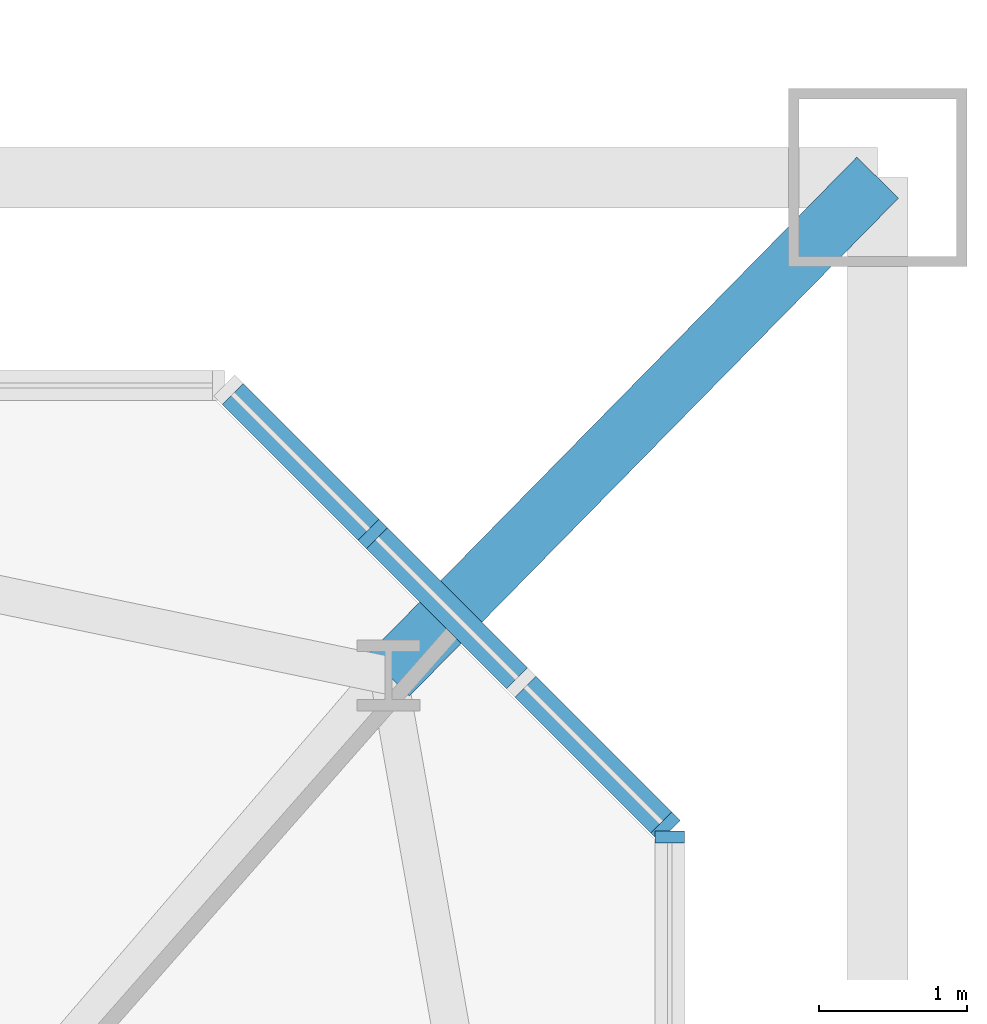
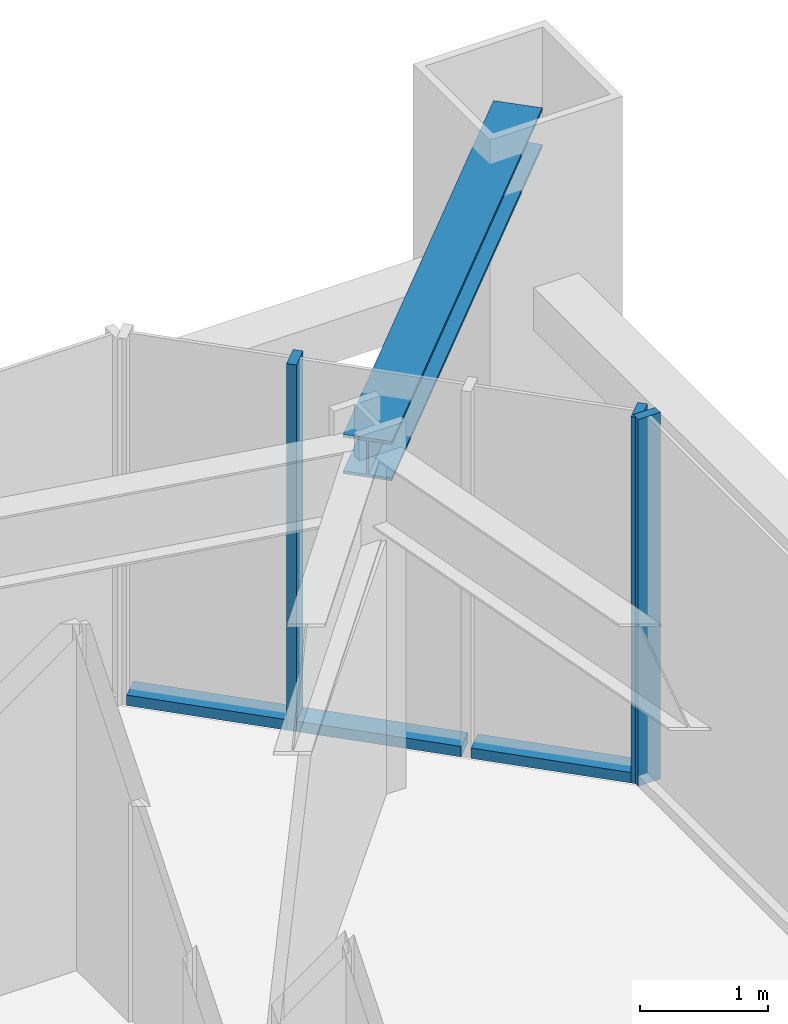
# One storey, part 12 of 27: 7 members, 2 elements without a shape of their own.
"""IFC4 building model written with IfcOpenShell, lengths in metres."""

from ifc_helpers import new_model, si_unit, direction, frame, origin, origin_2d, place, context, subcontext, project, spatial, rectangle, i_section, extrude, material, material_profile, profile_set, type_object, element, aggregate, save


model = new_model("IFC4")

# Units and contexts
model_context = context("Model", 3, precision=1e-05, world=origin(), true_north=direction((0.0, 1.0)))
body_context = subcontext(model_context, "Body", "Model", "MODEL_VIEW")
ifc_project = project(units=[si_unit("LENGTHUNIT", "METRE"), si_unit("AREAUNIT", "SQUARE_METRE"), si_unit("VOLUMEUNIT", "CUBIC_METRE"), si_unit("PLANEANGLEUNIT", "RADIAN"), si_unit("MASSUNIT", "GRAM", prefix="KILO")], contexts=[model_context])

# Site, building, storey
site_placement = place(None, origin())
site = spatial("IfcSite", under=ifc_project, at=site_placement, CompositionType="ELEMENT")
building_placement = place(site_placement, origin())
building = spatial("IfcBuilding", under=site, at=building_placement, Name="Iwan Alto Co-Living Towers", CompositionType="ELEMENT")
storey_placement = place(building_placement, frame((0.0, 0.0, 53.5)))
storey = spatial("IfcBuildingStorey", under=building, at=storey_placement, Name="L14", CompositionType="ELEMENT", Elevation=53.5)

# Curtain wall, member
ifc_material_1 = material(Name="Bronze aluminium unitised frame", Category="aluminium")
curtain_wall_type_1 = type_object("IfcCurtainWallType", Name="CURTAIN WALL CW-C", PredefinedType="NOTDEFINED", material=ifc_material_1)
curtain_wall_1_placement = place(storey_placement, origin())
curtain_wall_1 = element("IfcCurtainWall", 1, at=curtain_wall_1_placement, inside=storey, type_object=curtain_wall_type_1, Name="T2 curtain wall E L14", PredefinedType="NOTDEFINED")
ifc_material_2 = material(Name="Aluminium 6063-T6 bronze anodised", Category="aluminium")
ifc_material_profile_1 = material_profile(ifc_material_2, rectangle(XDim=0.199951171875, YDim=0.080078125, at=origin_2d()), Name="AL 80X200")
ifc_profile_set_1 = profile_set([ifc_material_profile_1], Name="Aluminium 6063-T6 bronze anodised")
member_type_1 = type_object("IfcMemberType", Name="CW-C MULLION 80X200", PredefinedType="MULLION", material=ifc_profile_set_1)
member_1_placement = place(storey_placement, frame((79.5, 15.7099609375, 0.0), z_axis=(0.0, 0.0, 1.0), x_axis=(-1.0, 0.0, 0.0)))
member_1 = element("IfcMember", 2, at=member_1_placement, type_object=member_type_1, Name="CW-C mullion 8", PredefinedType="MULLION", context=body_context, shape_type="SweptSolid", body=[
    extrude(rectangle(XDim=0.199951171875, YDim=0.080078125, at=origin_2d()), origin(), (0.0, 0.0, 1.0), 3.5),
])
aggregate(curtain_wall_1, [member_1])

# Curtain wall, members
ifc_material_3 = material(Name="Bronze aluminium unitised frame", Category="aluminium")
curtain_wall_type_2 = type_object("IfcCurtainWallType", Name="CURTAIN WALL CW-D", PredefinedType="NOTDEFINED", material=ifc_material_3)
curtain_wall_2_placement = place(storey_placement, origin())
curtain_wall_2 = element("IfcCurtainWall", 3, at=curtain_wall_2_placement, inside=storey, type_object=curtain_wall_type_2, Name="T2 chamfer curtain wall NE L14", PredefinedType="NOTDEFINED")
ifc_material_4 = material(Name="Aluminium 6063-T6 bronze anodised", Category="aluminium")
ifc_material_profile_2 = material_profile(ifc_material_4, rectangle(XDim=0.199951171875, YDim=0.080078125, at=origin_2d()), Name="AL 80X200")
ifc_profile_set_2 = profile_set([ifc_material_profile_2], Name="Aluminium 6063-T6 bronze anodised")
member_type_2 = type_object("IfcMemberType", Name="CW-D MULLION 80X200", PredefinedType="MULLION", material=ifc_profile_set_2)
member_2_placement = place(storey_placement, frame((79.4716796875, 15.7783203125, 0.0), z_axis=(0.0, 0.0, 1.0), x_axis=(-0.707106781187, -0.707106781187, 0.0)))
member_2 = element("IfcMember", 4, at=member_2_placement, type_object=member_type_2, Name="CW-D mullion 1", PredefinedType="MULLION", context=body_context, shape_type="SweptSolid", body=[
    extrude(rectangle(XDim=0.199951171875, YDim=0.080078125, at=origin_2d()), origin(), (0.0, 0.0, 1.0), 3.5),
])
member_3_placement = place(storey_placement, frame((77.5, 17.75, 0.0), z_axis=(0.0, 0.0, 1.0), x_axis=(-0.707106781187, -0.707106781187, 0.0)))
member_3 = element("IfcMember", 5, at=member_3_placement, type_object=member_type_2, Name="CW-D mullion 3", PredefinedType="MULLION", context=body_context, shape_type="SweptSolid", body=[
    extrude(rectangle(XDim=0.199951171875, YDim=0.080078125, at=origin_2d()), origin(), (0.0, 0.0, 1.0), 3.5),
])
ifc_material_5 = material(Name="Aluminium 6063-T6 bronze anodised", Category="aluminium")
ifc_material_profile_3 = material_profile(ifc_material_5, rectangle(XDim=0.199951171875, YDim=0.10009765625, at=origin_2d()), Name="AL 200X100")
ifc_profile_set_3 = profile_set([ifc_material_profile_3], Name="Aluminium 6063-T6 bronze anodised")
member_type_3 = type_object("IfcMemberType", Name="CW-D TRANSOM 200X100", PredefinedType="USERDEFINED", material=ifc_profile_set_3)
member_4_placement = place(storey_placement, frame((79.443359375, 15.806640625, 0.050048828125), z_axis=(-0.707106781187, 0.707106781187, 0.0), x_axis=(-0.707106781187, -0.707106781187, 0.0)))
member_4 = element("IfcMember", 6, at=member_4_placement, type_object=member_type_3, Name="CW-D transom 1.1", ObjectType="TRANSOM", PredefinedType="USERDEFINED", context=body_context, shape_type="SweptSolid", body=[
    extrude(rectangle(XDim=0.199951171875, YDim=0.10009765625, at=origin_2d()), origin(), (0.0, 0.0, 1.0), 1.2939453125),
])
member_5_placement = place(storey_placement, frame((78.4716796875, 16.7783203125, 0.050048828125), z_axis=(-0.707106781187, 0.707106781187, 0.0), x_axis=(-0.707106781187, -0.707106781187, 0.0)))
member_5 = element("IfcMember", 7, at=member_5_placement, type_object=member_type_3, Name="CW-D transom 2.1", ObjectType="TRANSOM", PredefinedType="USERDEFINED", context=body_context, shape_type="SweptSolid", body=[
    extrude(rectangle(XDim=0.199951171875, YDim=0.10009765625, at=origin_2d()), origin(), (0.0, 0.0, 1.0), 1.334228515625),
])
member_6_placement = place(storey_placement, frame((77.4716796875, 17.7783203125, 0.050048828125), z_axis=(-0.707106781187, 0.707106781187, 0.0), x_axis=(-0.707106781187, -0.707106781187, 0.0)))
member_6 = element("IfcMember", 8, at=member_6_placement, type_object=member_type_3, Name="CW-D transom 3.1", ObjectType="TRANSOM", PredefinedType="USERDEFINED", context=body_context, shape_type="SweptSolid", body=[
    extrude(rectangle(XDim=0.199951171875, YDim=0.10009765625, at=origin_2d()), origin(), (0.0, 0.0, 1.0), 1.2939453125),
])
aggregate(curtain_wall_2, [member_2, member_3, member_4, member_5, member_6])

# Member
ifc_material_6 = material(Name="Steel ASTM A992 Gr 50", Category="steel")
ifc_material_profile_4 = material_profile(ifc_material_6, i_section(OverallWidth=0.393798828125, OverallDepth=0.3759765625, WebThickness=0.017333984375, FlangeThickness=0.027587890625, at=origin_2d()), Name="W14X145")
ifc_profile_set_4 = profile_set([ifc_material_profile_4], Name="Steel ASTM A992 Gr 50")
member_type_4 = type_object("IfcMemberType", Name="T2 MEGA COLUMN FLOOR TIE W14X145", PredefinedType="STRUT", material=ifc_profile_set_4)
member_7_placement = place(storey_placement, frame((80.89990234375, 20.14990234375, 3.08203125), z_axis=(-0.700793469544, -0.71336422187, 0.0), x_axis=(0.71336422187, -0.700793469544, 0.0)))
element("IfcMember", 9, at=member_7_placement, inside=storey, type_object=member_type_4, Name="T2 mega column floor tie NE L15", PredefinedType="STRUT", context=body_context, shape_type="SweptSolid", body=[
    extrude(i_section(OverallWidth=0.393798828125, OverallDepth=0.3759765625, WebThickness=0.017333984375, FlangeThickness=0.027587890625, at=origin_2d()), origin(), (0.0, 0.0, 1.0), 4.699951171875),
])

save(model, "model.ifc")
